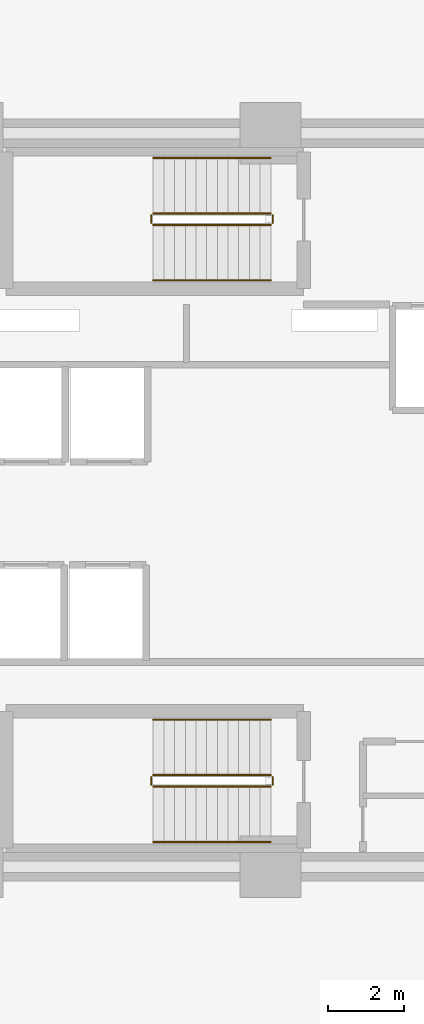
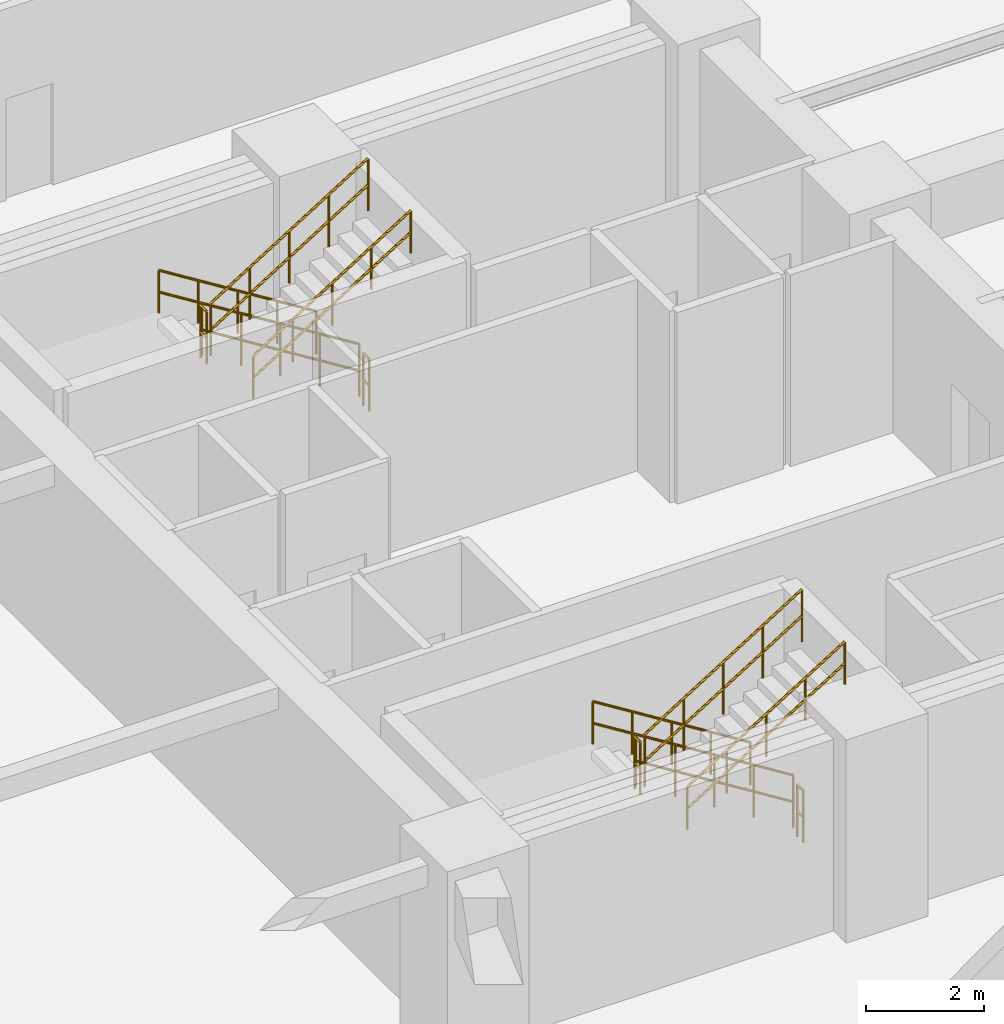
# One storey, part 7 of 7: 12 railings.
"""IFC4 building model written with IfcOpenShell, lengths in metres."""

from ifc_helpers import new_model, si_unit, direction, frame, origin, origin_2d, place, context, subcontext, project, spatial, circle, extrude, material, type_object, element, save


model = new_model("IFC4")

# Units and contexts
model_context = context("Model", 3, precision=1e-05, world=origin(), true_north=direction((0.0, 1.0)))
body_context = subcontext(model_context, "Body", "Model", "MODEL_VIEW")
ifc_project = project(units=[si_unit("LENGTHUNIT", "METRE"), si_unit("AREAUNIT", "SQUARE_METRE"), si_unit("VOLUMEUNIT", "CUBIC_METRE"), si_unit("PLANEANGLEUNIT", "RADIAN"), si_unit("MASSUNIT", "GRAM", prefix="KILO")], contexts=[model_context])

# Site, building, storey
site_placement = place(None, origin())
site = spatial("IfcSite", under=ifc_project, at=site_placement, CompositionType="ELEMENT")
building_placement = place(site_placement, origin())
building = spatial("IfcBuilding", under=site, at=building_placement, Name="An Khanh Terracotta Commons", CompositionType="ELEMENT")
storey_placement = place(building_placement, frame((0.0, 0.0, -4.199951171875)))
storey = spatial("IfcBuildingStorey", under=building, at=storey_placement, Name="B01", CompositionType="ELEMENT", Elevation=-4.199951171875)

# Railings
ifc_material_1 = material(Name="Brushed Stainless Steel 316", Category="steel")
railing_type_1 = type_object("IfcRailingType", Name="RAIL-HANDRAIL-900", PredefinedType="HANDRAIL", material=ifc_material_1)
railing_1_placement = place(storey_placement, frame((29.409912109375, 32.949951171875, 0.175048828125)))
element("IfcRailing", 1, at=railing_1_placement, inside=storey, type_object=railing_type_1, Name="B01 ST-01 stair handrail 1", PredefinedType="HANDRAIL", context=body_context, shape_type="SweptSolid", body=[
    extrude(circle(Radius=0.02392578125, at=origin_2d()), frame((0.0, 0.0, 0.8759765625), z_axis=(-0.848009633417, 0.0, 0.529980812513), x_axis=(0.0, -1.0, 0.0)), (0.0, 0.0, 1.0), 3.6318359375),
    extrude(circle(Radius=0.02392578125, at=origin_2d()), frame((0.0, 0.0, 0.42578125), z_axis=(-0.848009633417, 0.0, 0.529980812513), x_axis=(0.0, -1.0, 0.0)), (0.0, 0.0, 1.0), 3.6318359375),
    extrude(circle(Radius=0.02099609375, at=origin_2d()), origin(), (0.0, 0.0, 1.0), 0.851806640625),
    extrude(circle(Radius=0.02099609375, at=origin_2d()), frame((-0.77001953125, 0.0, 0.481201171875)), (0.0, 0.0, 1.0), 0.851806640625),
    extrude(circle(Radius=0.02099609375, at=origin_2d()), frame((-1.5400390625, 0.0, 0.96240234375)), (0.0, 0.0, 1.0), 0.851806640625),
    extrude(circle(Radius=0.02099609375, at=origin_2d()), frame((-2.309814453125, 0.0, 1.443603515625)), (0.0, 0.0, 1.0), 0.851806640625),
    extrude(circle(Radius=0.02099609375, at=origin_2d()), frame((-3.079833984375, 0.0, 1.9248046875)), (0.0, 0.0, 1.0), 0.851806640625),
])
railing_2_placement = place(storey_placement, frame((26.330078125, 29.75, 2.27490234375)))
element("IfcRailing", 2, at=railing_2_placement, inside=storey, type_object=railing_type_1, Name="B01 ST-01 stair handrail 2", PredefinedType="HANDRAIL", context=body_context, shape_type="SweptSolid", body=[
    extrude(circle(Radius=0.02392578125, at=origin_2d()), frame((0.0, 0.0, 0.8759765625), z_axis=(0.847979421464, 0.0, 0.530029150871), x_axis=(0.0, 1.0, 0.0)), (0.0, 0.0, 1.0), 3.632080078125),
    extrude(circle(Radius=0.02392578125, at=origin_2d()), frame((0.0, 0.0, 0.42578125), z_axis=(0.847979421464, 0.0, 0.530029150871), x_axis=(0.0, 1.0, 0.0)), (0.0, 0.0, 1.0), 3.632080078125),
    extrude(circle(Radius=0.02099609375, at=origin_2d()), origin(), (0.0, 0.0, 1.0), 0.851806640625),
    extrude(circle(Radius=0.02099609375, at=origin_2d()), frame((0.77001953125, 0.0, 0.481201171875)), (0.0, 0.0, 1.0), 0.851806640625),
    extrude(circle(Radius=0.02099609375, at=origin_2d()), frame((1.5400390625, 0.0, 0.96240234375)), (0.0, 0.0, 1.0), 0.851806640625),
    extrude(circle(Radius=0.02099609375, at=origin_2d()), frame((2.309814453125, 0.0, 1.44384765625)), (0.0, 0.0, 1.0), 0.851806640625),
    extrude(circle(Radius=0.02099609375, at=origin_2d()), frame((3.079833984375, 0.0, 1.925048828125)), (0.0, 0.0, 1.0), 0.851806640625),
])
railing_3_placement = place(storey_placement, frame((29.409912109375, 18.25, 0.175048828125)))
element("IfcRailing", 3, at=railing_3_placement, inside=storey, type_object=railing_type_1, Name="B01 ST-02 stair handrail 1", PredefinedType="HANDRAIL", context=body_context, shape_type="SweptSolid", body=[
    extrude(circle(Radius=0.02392578125, at=origin_2d()), frame((0.0, 0.0, 0.8759765625), z_axis=(-0.848009633417, 0.0, 0.529980812513), x_axis=(0.0, -1.0, 0.0)), (0.0, 0.0, 1.0), 3.6318359375),
    extrude(circle(Radius=0.02392578125, at=origin_2d()), frame((0.0, 0.0, 0.42578125), z_axis=(-0.848009633417, 0.0, 0.529980812513), x_axis=(0.0, -1.0, 0.0)), (0.0, 0.0, 1.0), 3.6318359375),
    extrude(circle(Radius=0.02099609375, at=origin_2d()), origin(), (0.0, 0.0, 1.0), 0.851806640625),
    extrude(circle(Radius=0.02099609375, at=origin_2d()), frame((-0.77001953125, 0.0, 0.481201171875)), (0.0, 0.0, 1.0), 0.851806640625),
    extrude(circle(Radius=0.02099609375, at=origin_2d()), frame((-1.5400390625, 0.0, 0.96240234375)), (0.0, 0.0, 1.0), 0.851806640625),
    extrude(circle(Radius=0.02099609375, at=origin_2d()), frame((-2.309814453125, 0.0, 1.443603515625)), (0.0, 0.0, 1.0), 0.851806640625),
    extrude(circle(Radius=0.02099609375, at=origin_2d()), frame((-3.079833984375, 0.0, 1.9248046875)), (0.0, 0.0, 1.0), 0.851806640625),
])
railing_4_placement = place(storey_placement, frame((26.330078125, 15.050048828125, 2.27490234375)))
element("IfcRailing", 4, at=railing_4_placement, inside=storey, type_object=railing_type_1, Name="B01 ST-02 stair handrail 2", PredefinedType="HANDRAIL", context=body_context, shape_type="SweptSolid", body=[
    extrude(circle(Radius=0.02392578125, at=origin_2d()), frame((0.0, 0.0, 0.8759765625), z_axis=(0.847979421464, 0.0, 0.530029150871), x_axis=(0.0, 1.0, 0.0)), (0.0, 0.0, 1.0), 3.632080078125),
    extrude(circle(Radius=0.02392578125, at=origin_2d()), frame((0.0, 0.0, 0.42578125), z_axis=(0.847979421464, 0.0, 0.530029150871), x_axis=(0.0, 1.0, 0.0)), (0.0, 0.0, 1.0), 3.632080078125),
    extrude(circle(Radius=0.02099609375, at=origin_2d()), origin(), (0.0, 0.0, 1.0), 0.851806640625),
    extrude(circle(Radius=0.02099609375, at=origin_2d()), frame((0.77001953125, 0.0, 0.481201171875)), (0.0, 0.0, 1.0), 0.851806640625),
    extrude(circle(Radius=0.02099609375, at=origin_2d()), frame((1.5400390625, 0.0, 0.96240234375)), (0.0, 0.0, 1.0), 0.851806640625),
    extrude(circle(Radius=0.02099609375, at=origin_2d()), frame((2.309814453125, 0.0, 1.44384765625)), (0.0, 0.0, 1.0), 0.851806640625),
    extrude(circle(Radius=0.02099609375, at=origin_2d()), frame((3.079833984375, 0.0, 1.925048828125)), (0.0, 0.0, 1.0), 0.851806640625),
])
ifc_material_2 = material(Name="Powder-Coated Steel S355J2", Category="steel")
railing_type_2 = type_object("IfcRailingType", Name="RAIL-STAIR-GUARD-1100", PredefinedType="BALUSTRADE", material=ifc_material_2)
railing_5_placement = place(storey_placement, frame((29.409912109375, 31.5, 0.175048828125)))
element("IfcRailing", 5, at=railing_5_placement, inside=storey, type_object=railing_type_2, Name="B01 ST-01 stair guard 1", PredefinedType="BALUSTRADE", context=body_context, shape_type="SweptSolid", body=[
    extrude(circle(Radius=0.02392578125, at=origin_2d()), frame((0.0, 0.0, 1.076171875), z_axis=(-0.848009633417, 0.0, 0.529980812513), x_axis=(0.0, -1.0, 0.0)), (0.0, 0.0, 1.0), 3.6318359375),
    extrude(circle(Radius=0.02392578125, at=origin_2d()), frame((0.0, 0.0, 0.52587890625), z_axis=(-0.848009633417, 0.0, 0.529980812513), x_axis=(0.0, -1.0, 0.0)), (0.0, 0.0, 1.0), 3.6318359375),
    extrude(circle(Radius=0.02099609375, at=origin_2d()), origin(), (0.0, 0.0, 1.0), 1.052001953125),
    extrude(circle(Radius=0.02099609375, at=origin_2d()), frame((-0.77001953125, 0.0, 0.481201171875)), (0.0, 0.0, 1.0), 1.052001953125),
    extrude(circle(Radius=0.02099609375, at=origin_2d()), frame((-1.5400390625, 0.0, 0.96240234375)), (0.0, 0.0, 1.0), 1.052001953125),
    extrude(circle(Radius=0.02099609375, at=origin_2d()), frame((-2.309814453125, 0.0, 1.443603515625)), (0.0, 0.0, 1.0), 1.052001953125),
    extrude(circle(Radius=0.02099609375, at=origin_2d()), frame((-3.079833984375, 0.0, 1.9248046875)), (0.0, 0.0, 1.0), 1.052001953125),
])
railing_6_placement = place(storey_placement, frame((26.280029296875, 31.449951171875, 2.099853515625)))
element("IfcRailing", 6, at=railing_6_placement, inside=storey, type_object=railing_type_2, Name="B01 ST-01 stair guard 2", PredefinedType="BALUSTRADE", context=body_context, shape_type="SweptSolid", body=[
    extrude(circle(Radius=0.02392578125, at=origin_2d()), frame((0.0, 0.0, 1.076171875), z_axis=(0.0, -1.0, 0.0), x_axis=(1.0, 0.0, 0.0)), (0.0, 0.0, 1.0), 0.199951171875),
    extrude(circle(Radius=0.02392578125, at=origin_2d()), frame((0.0, 0.0, 0.52587890625), z_axis=(0.0, -1.0, 0.0), x_axis=(1.0, 0.0, 0.0)), (0.0, 0.0, 1.0), 0.199951171875),
    extrude(circle(Radius=0.02099609375, at=origin_2d()), origin(), (0.0, 0.0, 1.0), 1.052001953125),
    extrude(circle(Radius=0.02099609375, at=origin_2d()), frame((0.0, -0.199951171875, 0.0)), (0.0, 0.0, 1.0), 1.052001953125),
])
railing_7_placement = place(storey_placement, frame((26.330078125, 31.199951171875, 2.27490234375)))
element("IfcRailing", 7, at=railing_7_placement, inside=storey, type_object=railing_type_2, Name="B01 ST-01 stair guard 3", PredefinedType="BALUSTRADE", context=body_context, shape_type="SweptSolid", body=[
    extrude(circle(Radius=0.02392578125, at=origin_2d()), frame((0.0, 0.0, 1.076171875), z_axis=(0.847979421464, 0.0, 0.530029150871), x_axis=(0.0, 1.0, 0.0)), (0.0, 0.0, 1.0), 3.632080078125),
    extrude(circle(Radius=0.02392578125, at=origin_2d()), frame((0.0, 0.0, 0.52587890625), z_axis=(0.847979421464, 0.0, 0.530029150871), x_axis=(0.0, 1.0, 0.0)), (0.0, 0.0, 1.0), 3.632080078125),
    extrude(circle(Radius=0.02099609375, at=origin_2d()), origin(), (0.0, 0.0, 1.0), 1.052001953125),
    extrude(circle(Radius=0.02099609375, at=origin_2d()), frame((0.77001953125, 0.0, 0.481201171875)), (0.0, 0.0, 1.0), 1.052001953125),
    extrude(circle(Radius=0.02099609375, at=origin_2d()), frame((1.5400390625, 0.0, 0.96240234375)), (0.0, 0.0, 1.0), 1.052001953125),
    extrude(circle(Radius=0.02099609375, at=origin_2d()), frame((2.309814453125, 0.0, 1.44384765625)), (0.0, 0.0, 1.0), 1.052001953125),
    extrude(circle(Radius=0.02099609375, at=origin_2d()), frame((3.079833984375, 0.0, 1.925048828125)), (0.0, 0.0, 1.0), 1.052001953125),
])
railing_8_placement = place(storey_placement, frame((29.4599609375, 31.449951171875, 0.0)))
element("IfcRailing", 8, at=railing_8_placement, inside=storey, type_object=railing_type_2, Name="B01 ST-01 stair guard 4", PredefinedType="BALUSTRADE", context=body_context, shape_type="SweptSolid", body=[
    extrude(circle(Radius=0.02392578125, at=origin_2d()), frame((0.0, 0.0, 1.076171875), z_axis=(0.0, -1.0, 0.0), x_axis=(1.0, 0.0, 0.0)), (0.0, 0.0, 1.0), 0.199951171875),
    extrude(circle(Radius=0.02392578125, at=origin_2d()), frame((0.0, 0.0, 0.52587890625), z_axis=(0.0, -1.0, 0.0), x_axis=(1.0, 0.0, 0.0)), (0.0, 0.0, 1.0), 0.199951171875),
    extrude(circle(Radius=0.02099609375, at=origin_2d()), origin(), (0.0, 0.0, 1.0), 1.052001953125),
    extrude(circle(Radius=0.02099609375, at=origin_2d()), frame((0.0, -0.199951171875, 0.0)), (0.0, 0.0, 1.0), 1.052001953125),
])
railing_9_placement = place(storey_placement, frame((29.409912109375, 16.800048828125, 0.175048828125)))
element("IfcRailing", 9, at=railing_9_placement, inside=storey, type_object=railing_type_2, Name="B01 ST-02 stair guard 1", PredefinedType="BALUSTRADE", context=body_context, shape_type="SweptSolid", body=[
    extrude(circle(Radius=0.02392578125, at=origin_2d()), frame((0.0, 0.0, 1.076171875), z_axis=(-0.848009633417, 0.0, 0.529980812513), x_axis=(0.0, -1.0, 0.0)), (0.0, 0.0, 1.0), 3.6318359375),
    extrude(circle(Radius=0.02392578125, at=origin_2d()), frame((0.0, 0.0, 0.52587890625), z_axis=(-0.848009633417, 0.0, 0.529980812513), x_axis=(0.0, -1.0, 0.0)), (0.0, 0.0, 1.0), 3.6318359375),
    extrude(circle(Radius=0.02099609375, at=origin_2d()), origin(), (0.0, 0.0, 1.0), 1.052001953125),
    extrude(circle(Radius=0.02099609375, at=origin_2d()), frame((-0.77001953125, 0.0, 0.481201171875)), (0.0, 0.0, 1.0), 1.052001953125),
    extrude(circle(Radius=0.02099609375, at=origin_2d()), frame((-1.5400390625, 0.0, 0.96240234375)), (0.0, 0.0, 1.0), 1.052001953125),
    extrude(circle(Radius=0.02099609375, at=origin_2d()), frame((-2.309814453125, 0.0, 1.443603515625)), (0.0, 0.0, 1.0), 1.052001953125),
    extrude(circle(Radius=0.02099609375, at=origin_2d()), frame((-3.079833984375, 0.0, 1.9248046875)), (0.0, 0.0, 1.0), 1.052001953125),
])
railing_10_placement = place(storey_placement, frame((26.280029296875, 16.75, 2.099853515625)))
element("IfcRailing", 10, at=railing_10_placement, inside=storey, type_object=railing_type_2, Name="B01 ST-02 stair guard 2", PredefinedType="BALUSTRADE", context=body_context, shape_type="SweptSolid", body=[
    extrude(circle(Radius=0.02392578125, at=origin_2d()), frame((0.0, 0.0, 1.076171875), z_axis=(0.0, -1.0, 0.0), x_axis=(1.0, 0.0, 0.0)), (0.0, 0.0, 1.0), 0.199951171875),
    extrude(circle(Radius=0.02392578125, at=origin_2d()), frame((0.0, 0.0, 0.52587890625), z_axis=(0.0, -1.0, 0.0), x_axis=(1.0, 0.0, 0.0)), (0.0, 0.0, 1.0), 0.199951171875),
    extrude(circle(Radius=0.02099609375, at=origin_2d()), origin(), (0.0, 0.0, 1.0), 1.052001953125),
    extrude(circle(Radius=0.02099609375, at=origin_2d()), frame((0.0, -0.199951171875, 0.0)), (0.0, 0.0, 1.0), 1.052001953125),
])
railing_11_placement = place(storey_placement, frame((26.330078125, 16.5, 2.27490234375)))
element("IfcRailing", 11, at=railing_11_placement, inside=storey, type_object=railing_type_2, Name="B01 ST-02 stair guard 3", PredefinedType="BALUSTRADE", context=body_context, shape_type="SweptSolid", body=[
    extrude(circle(Radius=0.02392578125, at=origin_2d()), frame((0.0, 0.0, 1.076171875), z_axis=(0.847979421464, 0.0, 0.530029150871), x_axis=(0.0, 1.0, 0.0)), (0.0, 0.0, 1.0), 3.632080078125),
    extrude(circle(Radius=0.02392578125, at=origin_2d()), frame((0.0, 0.0, 0.52587890625), z_axis=(0.847979421464, 0.0, 0.530029150871), x_axis=(0.0, 1.0, 0.0)), (0.0, 0.0, 1.0), 3.632080078125),
    extrude(circle(Radius=0.02099609375, at=origin_2d()), origin(), (0.0, 0.0, 1.0), 1.052001953125),
    extrude(circle(Radius=0.02099609375, at=origin_2d()), frame((0.77001953125, 0.0, 0.481201171875)), (0.0, 0.0, 1.0), 1.052001953125),
    extrude(circle(Radius=0.02099609375, at=origin_2d()), frame((1.5400390625, 0.0, 0.96240234375)), (0.0, 0.0, 1.0), 1.052001953125),
    extrude(circle(Radius=0.02099609375, at=origin_2d()), frame((2.309814453125, 0.0, 1.44384765625)), (0.0, 0.0, 1.0), 1.052001953125),
    extrude(circle(Radius=0.02099609375, at=origin_2d()), frame((3.079833984375, 0.0, 1.925048828125)), (0.0, 0.0, 1.0), 1.052001953125),
])
railing_12_placement = place(storey_placement, frame((29.4599609375, 16.75, 0.0)))
element("IfcRailing", 12, at=railing_12_placement, inside=storey, type_object=railing_type_2, Name="B01 ST-02 stair guard 4", PredefinedType="BALUSTRADE", context=body_context, shape_type="SweptSolid", body=[
    extrude(circle(Radius=0.02392578125, at=origin_2d()), frame((0.0, 0.0, 1.076171875), z_axis=(0.0, -1.0, 0.0), x_axis=(1.0, 0.0, 0.0)), (0.0, 0.0, 1.0), 0.199951171875),
    extrude(circle(Radius=0.02392578125, at=origin_2d()), frame((0.0, 0.0, 0.52587890625), z_axis=(0.0, -1.0, 0.0), x_axis=(1.0, 0.0, 0.0)), (0.0, 0.0, 1.0), 0.199951171875),
    extrude(circle(Radius=0.02099609375, at=origin_2d()), origin(), (0.0, 0.0, 1.0), 1.052001953125),
    extrude(circle(Radius=0.02099609375, at=origin_2d()), frame((0.0, -0.199951171875, 0.0)), (0.0, 0.0, 1.0), 1.052001953125),
])

save(model, "model.ifc")
